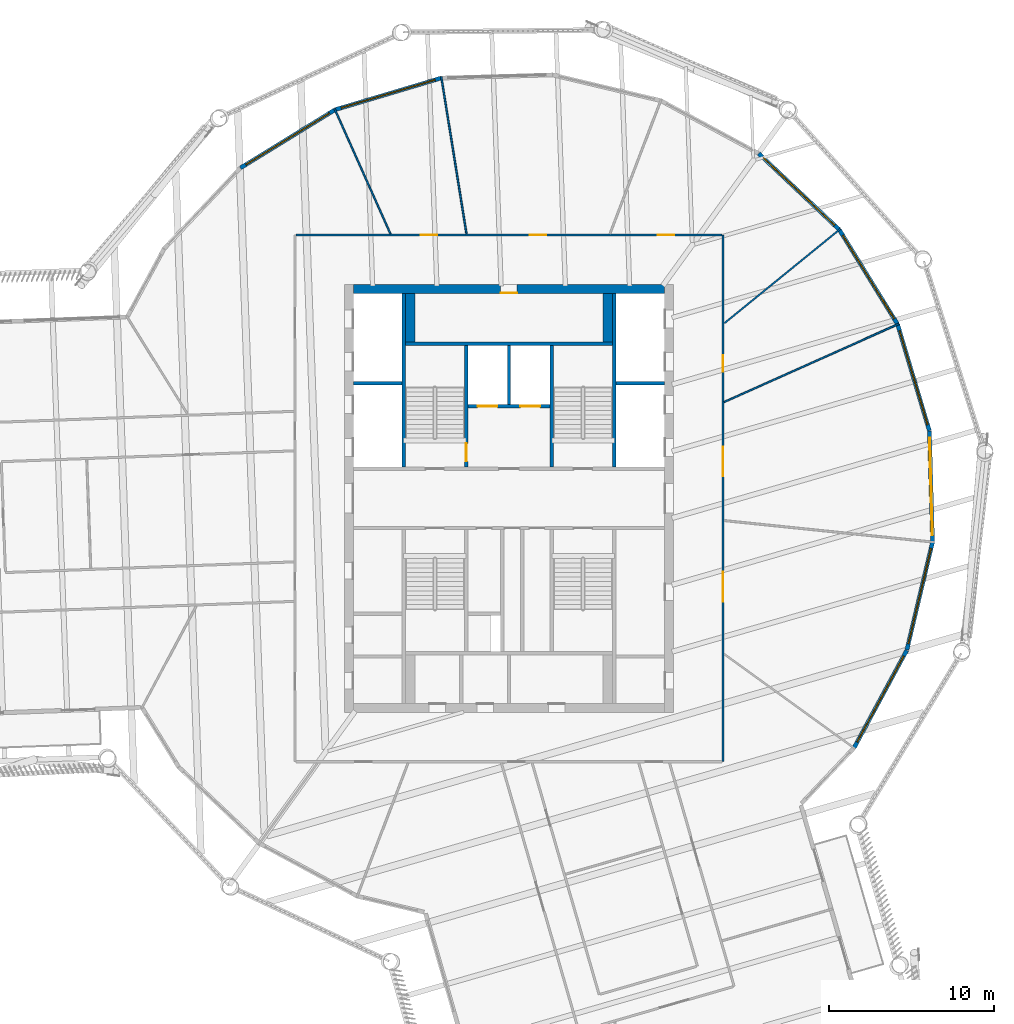
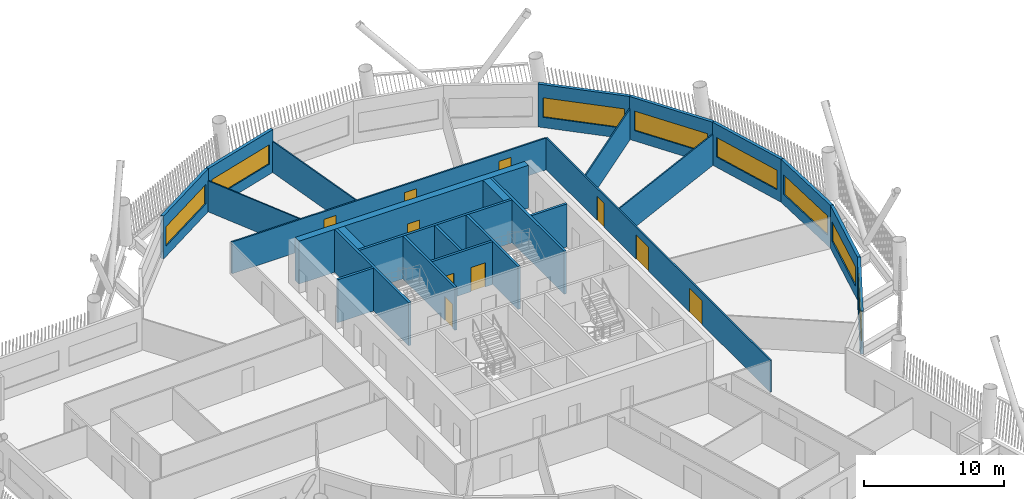
# One storey, part 6 of 20: 26 walls, 10 doors, 8 windows, 18 openings.
"""IFC4 building model written with IfcOpenShell, lengths in metres."""

import ifcopenshell
import ifcopenshell.guid

model = None  # the IFC model being written
_history = None  # IfcOwnerHistory: only IFC2X3 demands one
_inside = {}  # id of a spatial element -> (the spatial element, [elements in it])
_under = {}  # id of a project, library or spatial element -> (it, [spatial elements below it])
_declared = {}  # id of a project -> (the project, [libraries it declares])
_typed = {}  # id of a type object -> (the type object, [elements of that type])
_made_of = {}  # id of a material, layer set ... -> (it, [elements and type objects made of it])


def new_model(schema):
    """Start an empty IFC model of exactly this schema.

    Asked for "IFC4X3", IfcOpenShell would pick the latest addendum, in which some entities
    have other attributes; the version numbers below select the first issue.
    IFC2X3 requires an IfcOwnerHistory on every rooted entity: one is made here for all.
    """
    global model, _history
    if schema == "IFC4X3":
        model = ifcopenshell.file(schema_version=(4, 3, 0, 0))
    else:
        model = ifcopenshell.file(schema=schema)
    _inside.clear()
    _under.clear()
    _declared.clear()
    _typed.clear()
    _made_of.clear()
    _history = None
    if model.schema == "IFC2X3":
        org = make("IfcOrganization", Name="unknown")
        user = make(
            "IfcPersonAndOrganization",
            ThePerson=make("IfcPerson", FamilyName="unknown"),
            TheOrganization=org,
        )
        app = make(
            "IfcApplication",
            ApplicationDeveloper=org,
            Version="unknown",
            ApplicationFullName="unknown",
            ApplicationIdentifier="unknown",
        )
        _history = make(
            "IfcOwnerHistory",
            OwningUser=user,
            OwningApplication=app,
            ChangeAction="ADDED",
            CreationDate=0,
        )
    return model


def make(cls, **values):
    """One entity of the class cls with the attributes given. An attribute that is None is left unset."""
    return model.create_entity(
        cls, **{name: value for name, value in values.items() if value is not None}
    )


def rooted(cls, **values):
    """An entity with a GlobalId (a new one), such as an element, a storey or a relation."""
    return make(cls, GlobalId=ifcopenshell.guid.new(), OwnerHistory=_history, **values)


def si_unit(unit_type, name, prefix=None):
    """IfcSIUnit, for example si_unit("LENGTHUNIT", "METRE", prefix="MILLI")."""
    return make("IfcSIUnit", UnitType=unit_type, Prefix=prefix, Name=name)


def assignment(units):
    """IfcUnitAssignment: the units of a project."""
    return None if units is None else make("IfcUnitAssignment", Units=units)


def point(xyz):
    """IfcCartesianPoint."""
    return None if xyz is None else make("IfcCartesianPoint", Coordinates=xyz)


def direction(xyz):
    """IfcDirection."""
    return None if xyz is None else make("IfcDirection", DirectionRatios=xyz)


def frame(location, z_axis=None, x_axis=None):
    """IfcAxis2Placement3D, a coordinate frame: its origin and axes. An axis left out is left unset."""
    return make(
        "IfcAxis2Placement3D",
        Location=point(location),
        Axis=direction(z_axis),
        RefDirection=direction(x_axis),
    )


def frame_2d(location, x_axis=None):
    """IfcAxis2Placement2D, a coordinate frame in the plane: its origin and x axis."""
    return make(
        "IfcAxis2Placement2D", Location=point(location), RefDirection=direction(x_axis)
    )


def origin():
    """The frame at (0, 0, 0) with its axes left unset."""
    return frame((0.0, 0.0, 0.0))


def place(relative_to, where):
    """IfcLocalPlacement: puts the frame where relative to a parent placement (None: the world)."""
    return make(
        "IfcLocalPlacement", PlacementRelTo=relative_to, RelativePlacement=where
    )


def context(
    kind, dimensions, precision=None, world=None, true_north=None, identifier=None
):
    """IfcGeometricRepresentationContext, for example the 3D "Model" context."""
    return make(
        "IfcGeometricRepresentationContext",
        ContextIdentifier=identifier,
        ContextType=kind,
        CoordinateSpaceDimension=dimensions,
        Precision=precision,
        WorldCoordinateSystem=world,
        TrueNorth=true_north,
    )


def subcontext(parent, identifier, kind, view, scale=None):
    """IfcGeometricRepresentationSubContext, for example "Body" below "Model"."""
    return make(
        "IfcGeometricRepresentationSubContext",
        ContextIdentifier=identifier,
        ContextType=kind,
        ParentContext=parent,
        TargetScale=scale,
        TargetView=view,
    )


def project(units=None, contexts=None):
    """IfcProject with its units and contexts."""
    return rooted(
        "IfcProject",
        Name="project",
        RepresentationContexts=contexts,
        UnitsInContext=assignment(units),
    )


def spatial(cls, under=None, at=None, **own):
    """A site, building, storey or space (cls), placed at a placement, below another one or the project."""
    s = rooted(cls, ObjectPlacement=at, **own)
    if under is not None:
        _under.setdefault(under.id(), (under, []))[1].append(s)
    return s


def profile(cls, at=None, kind="AREA", **sizes):
    """A parametric profile (cls). Its sizes go by their IFC names, for example OverallWidth=200.0."""
    return make(cls, ProfileType=kind, Position=at, **sizes)


def rectangle(**sizes):
    """IfcRectangleProfileDef."""
    return profile("IfcRectangleProfileDef", **sizes)


def extrude(swept, where, along, depth):
    """IfcExtrudedAreaSolid: the profile swept, set in the frame where, extruded along a direction by depth."""
    return make(
        "IfcExtrudedAreaSolid",
        SweptArea=swept,
        Position=where,
        ExtrudedDirection=direction(along),
        Depth=depth,
    )


def shape(context_of_items, identifier, shape_type, items):
    """IfcShapeRepresentation: the items that make up one representation, for example the "Body"."""
    return make(
        "IfcShapeRepresentation",
        ContextOfItems=context_of_items,
        RepresentationIdentifier=identifier,
        RepresentationType=shape_type,
        Items=items,
    )


def material(Name=None, Category=None):
    """IfcMaterial."""
    return make("IfcMaterial", Name=Name, Category=Category)


def layer(
    of_material, thickness, ventilated=None, Name=None, Category=None, Priority=None
):
    """IfcMaterialLayer: one layer of a wall or slab, of a material (None: an air gap)."""
    return make(
        "IfcMaterialLayer",
        Material=of_material,
        LayerThickness=thickness,
        IsVentilated=ventilated,
        Name=Name,
        Category=Category,
        Priority=Priority,
    )


def layer_set(layers, Name=None):
    """IfcMaterialLayerSet."""
    return make("IfcMaterialLayerSet", MaterialLayers=layers, LayerSetName=Name)


def made_of(thing, what):
    """Note that an element or type object is made of a material, layer set ...; save() writes the relation."""
    if what is not None:
        _made_of.setdefault(what.id(), (what, []))[1].append(thing)
    return thing


def type_object(cls, material=None, **own):
    """A type object (cls), such as IfcWallType, which elements share."""
    return made_of(rooted(cls, **own), material)


def element(
    cls,
    number,
    at=None,
    inside=None,
    cuts=None,
    type_object=None,
    material=None,
    context=None,
    identifier="Body",
    shape_type=None,
    held_by="IfcProductDefinitionShape",
    body=None,
    shapes=None,
    **own,
):
    """One element of the class cls, such as IfcWall. Its Tag is "e" and its number.

    at: its placement. inside: the storey or other place that contains it. cuts: it is an
    opening in that element (IfcRelVoidsElement). A single representation is given by context,
    identifier, shape_type and body (its items); several are given by shapes. held_by: the class
    of the entity that holds the representations. save() writes the other relations.
    """
    e = rooted(cls, Tag="e%d" % number, ObjectPlacement=at, **own)
    if body is not None:
        shapes = [shape(context, identifier, shape_type, body)]
    if shapes is not None:
        e.Representation = make(held_by, Representations=shapes)
    if inside is not None:
        _inside.setdefault(inside.id(), (inside, []))[1].append(e)
    if cuts is not None:
        rooted(
            "IfcRelVoidsElement", RelatingBuildingElement=cuts, RelatedOpeningElement=e
        )
    if type_object is not None:
        _typed.setdefault(type_object.id(), (type_object, []))[1].append(e)
    return made_of(e, material)


def fill(opening, filler):
    """IfcRelFillsElement: the door or window that sits in an opening."""
    return rooted(
        "IfcRelFillsElement",
        RelatingOpeningElement=opening,
        RelatedBuildingElement=filler,
    )


def aggregate(whole, parts):
    """IfcRelAggregates: a whole, such as a stair, and the parts it consists of."""
    return rooted("IfcRelAggregates", RelatingObject=whole, RelatedObjects=parts)


def save(model, path):
    """Write the relations noted so far, then the file.

    IfcRelAggregates (storeys below a building ...), IfcRelContainedInSpatialStructure (elements
    in a storey), IfcRelDefinesByType, IfcRelAssociatesMaterial and IfcRelDeclares: one each for
    every whole, place, type object, material and project.
    """
    for whole, parts in _under.values():
        aggregate(whole, parts)
    for where, things in _inside.values():
        rooted(
            "IfcRelContainedInSpatialStructure",
            RelatedElements=things,
            RelatingStructure=where,
        )
    for kind, things in _typed.values():
        rooted("IfcRelDefinesByType", RelatedObjects=things, RelatingType=kind)
    for what, things in _made_of.values():
        rooted("IfcRelAssociatesMaterial", RelatedObjects=things, RelatingMaterial=what)
    for by, libraries in _declared.values():
        rooted("IfcRelDeclares", RelatingContext=by, RelatedDefinitions=libraries)
    model.write(path)


model = new_model("IFC4")

# Units and contexts
model_context = context("Model", 3, precision=1e-05, world=origin(), true_north=direction((0.0, 1.0)))
body_context = subcontext(model_context, "Body", "Model", "MODEL_VIEW")
ifc_project = project(units=[si_unit("LENGTHUNIT", "METRE"), si_unit("AREAUNIT", "SQUARE_METRE"), si_unit("VOLUMEUNIT", "CUBIC_METRE"), si_unit("PLANEANGLEUNIT", "RADIAN"), si_unit("MASSUNIT", "GRAM", prefix="KILO")], contexts=[model_context])

# Site, building, storey
site_placement = place(None, origin())
site = spatial("IfcSite", under=ifc_project, at=site_placement, CompositionType="ELEMENT")
building_placement = place(site_placement, origin())
building = spatial("IfcBuilding", under=site, at=building_placement, Name="Tarsis Ring Headquarters", CompositionType="ELEMENT")
storey_placement = place(building_placement, frame((0.0, 0.0, 294.199951171875)))
storey = spatial("IfcBuildingStorey", under=building, at=storey_placement, Name="L69", CompositionType="ELEMENT", Elevation=294.199951171875)

# Wall, opening, door
ifc_material_1 = material(Name="Concrete C50/60", Category="concrete")
ifc_layer_1 = layer(ifc_material_1, 0.550048828125)
ifc_layer_set_1 = layer_set([ifc_layer_1], Name="Core wall 550 C50/60")
wall_type_1 = type_object("IfcWallType", Name="Core wall 550 C50/60", PredefinedType="SHEAR", material=ifc_layer_set_1)
wall_1_placement = place(storey_placement, frame((-9.449951171875, 12.72509765625, 0.0), z_axis=(0.0, 0.0, 1.0), x_axis=(1.0, 0.0, 0.0)))
wall_1 = element("IfcWall", 1, at=wall_1_placement, inside=storey, type_object=wall_type_1, Name="Core wall ON", PredefinedType="SHEAR", context=body_context, shape_type="SweptSolid", body=[
    extrude(rectangle(XDim=18.89990234375, YDim=0.550048828125, at=frame_2d((9.449951171875, 0.0))), origin(), (0.0, 0.0, 1.0), 3.739990234375),
])
opening_1_placement = place(wall_1_placement, frame((8.949951171875, 0.0, 0.0)))
opening_1 = element("IfcOpeningElement", 2, at=opening_1_placement, cuts=wall_1, Name="Opening L69-C16", PredefinedType="OPENING", context=body_context, shape_type="SweptSolid", body=[
    extrude(rectangle(XDim=1.0, YDim=2.10009765625, at=frame_2d((0.5, 1.050048828125))), frame((0.0, 0.284912109375, 0.0), z_axis=(0.0, -1.0, 0.0), x_axis=(1.0, 0.0, 0.0)), (0.0, 0.0, 1.0), 0.570068359375),
])
ifc_material_2 = material(Name="Steel S355", Category="steel")
door_type_1 = type_object("IfcDoorType", Name="Core room door 1000x2100", OperationType="SINGLE_SWING_LEFT", PredefinedType="DOOR", material=ifc_material_2)
door_1_placement = place(opening_1_placement, origin())
door_1 = element("IfcDoor", 3, at=door_1_placement, inside=storey, type_object=door_type_1, Name="Core room door L69", OperationType="SINGLE_SWING_LEFT", OverallHeight=2.10009765625, OverallWidth=1.0, PredefinedType="DOOR", context=body_context, shape_type="SweptSolid", body=[
    extrude(rectangle(XDim=1.0, YDim=2.10009765625, at=frame_2d((0.5, 1.050048828125))), frame((0.0, -0.22509765625, 0.0), z_axis=(0.0, -1.0, 0.0), x_axis=(1.0, 0.0, 0.0)), (0.0, 0.0, 1.0), 0.050048828125),
])
fill(opening_1, door_1)

# Walls
ifc_material_3 = material(Name="Gypsum board on steel studs", Category="steel")
ifc_layer_2 = layer(ifc_material_3, 0.10009765625)
ifc_layer_set_2 = layer_set([ifc_layer_2], Name="FL partition 100 unrated")
wall_type_2 = type_object("IfcWallType", Name="FL partition 100 unrated", PredefinedType="PARTITIONING", material=ifc_layer_set_2)
wall_2_placement = place(storey_placement, frame((13.072998046875, 5.853271484375, 0.0), z_axis=(0.0, 0.0, 1.0), x_axis=(0.912691707352, 0.408648806838, 0.0)))
element("IfcWall", 4, at=wall_2_placement, inside=storey, type_object=wall_type_2, Name="Partition PW3", PredefinedType="PARTITIONING", context=body_context, shape_type="SweptSolid", body=[
    extrude(rectangle(XDim=11.624267578125, YDim=0.10009765625, at=frame_2d((5.81201171875, 0.0))), origin(), (0.0, 0.0, 1.0), 2.699951171875),
])
wall_3_placement = place(storey_placement, frame((-4.11279296875, 25.619873046875, 0.0), z_axis=(0.0, 0.0, 1.0), x_axis=(0.158502351898, -0.987358599721, 0.0)))
element("IfcWall", 5, at=wall_3_placement, inside=storey, type_object=wall_type_2, Name="Partition PW3", PredefinedType="PARTITIONING", context=body_context, shape_type="SweptSolid", body=[
    extrude(rectangle(XDim=9.673095703125, YDim=0.10009765625, at=frame_2d((4.83642578125, 0.0))), origin(), (0.0, 0.0, 1.0), 2.699951171875),
])
wall_4_placement = place(storey_placement, frame((13.085205078125, 10.641845703125, 0.0), z_axis=(0.0, 0.0, 1.0), x_axis=(0.775847503085, 0.6309204799, 0.0)))
element("IfcWall", 6, at=wall_4_placement, inside=storey, type_object=wall_type_2, Name="Partition PW3", PredefinedType="PARTITIONING", context=body_context, shape_type="SweptSolid", body=[
    extrude(rectangle(XDim=9.08154296875, YDim=0.10009765625, at=frame_2d((4.540771484375, 0.0))), origin(), (0.0, 0.0, 1.0), 2.699951171875),
])
wall_5_placement = place(storey_placement, frame((-10.603515625, 23.682373046875, 0.0), z_axis=(0.0, 0.0, 1.0), x_axis=(0.408644711406, -0.912693541031, 0.0)))
element("IfcWall", 7, at=wall_5_placement, inside=storey, type_object=wall_type_2, Name="Partition PW3", PredefinedType="PARTITIONING", context=body_context, shape_type="SweptSolid", body=[
    extrude(rectangle(XDim=8.337158203125, YDim=0.10009765625, at=frame_2d((4.16845703125, 0.0))), origin(), (0.0, 0.0, 1.0), 2.699951171875),
])

# Wall, openings, doors
ifc_layer_3 = layer(ifc_material_3, 0.125)
ifc_layer_set_3 = layer_set([ifc_layer_3], Name="FL partition 125 EI 60 H2770")
wall_type_3 = type_object("IfcWallType", Name="FL partition 125 EI 60 H2770", PredefinedType="PARTITIONING", material=ifc_layer_set_3)
wall_6_placement = place(storey_placement, frame((13.0, -16.0, 0.0), z_axis=(0.0, 0.0, 1.0), x_axis=(0.0, 1.0, 0.0)))
wall_6 = element("IfcWall", 8, at=wall_6_placement, inside=storey, type_object=wall_type_3, Name="Partition PW1", PredefinedType="PARTITIONING", context=body_context, shape_type="SweptSolid", body=[
    extrude(rectangle(XDim=32.0, YDim=0.125, at=frame_2d((16.0, 0.0))), origin(), (0.0, 0.0, 1.0), 2.77001953125),
])
opening_2_placement = place(wall_6_placement, frame((23.696533203125, 0.0, 0.0)))
opening_2 = element("IfcOpeningElement", 9, at=opening_2_placement, cuts=wall_6, Name="Opening D69.07", PredefinedType="OPENING", context=body_context, shape_type="SweptSolid", body=[
    extrude(rectangle(XDim=1.0, YDim=2.10009765625, at=frame_2d((0.5, 1.050048828125))), frame((0.0, 0.072509765625, 0.0), z_axis=(0.0, -1.0, 0.0), x_axis=(1.0, 0.0, 0.0)), (0.0, 0.0, 1.0), 0.14501953125),
])
opening_3_placement = place(wall_6_placement, frame((17.3408203125, 0.0, 0.0)))
opening_3 = element("IfcOpeningElement", 10, at=opening_3_placement, cuts=wall_6, Name="Opening D69.08", PredefinedType="OPENING", context=body_context, shape_type="SweptSolid", body=[
    extrude(rectangle(XDim=1.800048828125, YDim=2.10009765625, at=frame_2d((0.89990234375, 1.050048828125))), frame((0.0, 0.072509765625, 0.0), z_axis=(0.0, -1.0, 0.0), x_axis=(1.0, 0.0, 0.0)), (0.0, 0.0, 1.0), 0.14501953125),
])
opening_4_placement = place(wall_6_placement, frame((9.728759765625, 0.0, 0.0)))
opening_4 = element("IfcOpeningElement", 11, at=opening_4_placement, cuts=wall_6, Name="Opening D69.09", PredefinedType="OPENING", context=body_context, shape_type="SweptSolid", body=[
    extrude(rectangle(XDim=1.800048828125, YDim=2.10009765625, at=frame_2d((0.89990234375, 1.050048828125))), frame((0.0, 0.072509765625, 0.0), z_axis=(0.0, -1.0, 0.0), x_axis=(1.0, 0.0, 0.0)), (0.0, 0.0, 1.0), 0.14501953125),
])
ifc_material_4 = material(Name="Fire-rated timber door leaf in steel frame", Category="steel")
door_type_2 = type_object("IfcDoorType", Name="FL door FD60-1000", OperationType="NOTDEFINED", PredefinedType="DOOR", material=ifc_material_4)
door_2_placement = place(opening_2_placement, origin())
door_2 = element("IfcDoor", 12, at=door_2_placement, inside=storey, type_object=door_type_2, Name="Door D69.07", OperationType="SINGLE_SWING_RIGHT", OverallHeight=2.10009765625, OverallWidth=1.0, PredefinedType="DOOR", context=body_context, shape_type="SweptSolid", body=[
    extrude(rectangle(XDim=1.0, YDim=2.10009765625, at=frame_2d((0.5, 1.050048828125))), frame((0.0, 0.02490234375, 0.0), z_axis=(0.0, -1.0, 0.0), x_axis=(1.0, 0.0, 0.0)), (0.0, 0.0, 1.0), 0.050048828125),
])
fill(opening_2, door_2)
door_type_3 = type_object("IfcDoorType", Name="FL door FD60-1800", OperationType="DOUBLE_DOOR_SINGLE_SWING", PredefinedType="DOOR", material=ifc_material_4)
door_3_placement = place(opening_3_placement, origin())
door_3 = element("IfcDoor", 13, at=door_3_placement, inside=storey, type_object=door_type_3, Name="Door D69.08", OperationType="DOUBLE_DOOR_SINGLE_SWING", OverallHeight=2.10009765625, OverallWidth=1.800048828125, PredefinedType="DOOR", context=body_context, shape_type="SweptSolid", body=[
    extrude(rectangle(XDim=1.800048828125, YDim=2.10009765625, at=frame_2d((0.89990234375, 1.050048828125))), frame((0.0, 0.02490234375, 0.0), z_axis=(0.0, -1.0, 0.0), x_axis=(1.0, 0.0, 0.0)), (0.0, 0.0, 1.0), 0.050048828125),
])
fill(opening_3, door_3)
door_4_placement = place(opening_4_placement, origin())
door_4 = element("IfcDoor", 14, at=door_4_placement, inside=storey, type_object=door_type_3, Name="Door D69.09", OperationType="DOUBLE_DOOR_SINGLE_SWING", OverallHeight=2.10009765625, OverallWidth=1.800048828125, PredefinedType="DOOR", context=body_context, shape_type="SweptSolid", body=[
    extrude(rectangle(XDim=1.800048828125, YDim=2.10009765625, at=frame_2d((0.89990234375, 1.050048828125))), frame((0.0, 0.02490234375, 0.0), z_axis=(0.0, -1.0, 0.0), x_axis=(1.0, 0.0, 0.0)), (0.0, 0.0, 1.0), 0.050048828125),
])
fill(opening_4, door_4)

wall_7_placement = place(storey_placement, frame((-12.93994140625, 16.0, 0.0), z_axis=(0.0, 0.0, 1.0), x_axis=(1.0, 0.0, 0.0)))
wall_7 = element("IfcWall", 15, at=wall_7_placement, inside=storey, type_object=wall_type_3, Name="Partition PW1", PredefinedType="PARTITIONING", context=body_context, shape_type="SweptSolid", body=[
    extrude(rectangle(XDim=25.8798828125, YDim=0.125, at=frame_2d((12.93994140625, 0.0))), origin(), (0.0, 0.0, 1.0), 2.77001953125),
])
opening_5_placement = place(wall_7_placement, frame((7.57373046875, 0.0, 0.0)))
opening_5 = element("IfcOpeningElement", 16, at=opening_5_placement, cuts=wall_7, Name="Opening D69.04", PredefinedType="OPENING", context=body_context, shape_type="SweptSolid", body=[
    extrude(rectangle(XDim=1.0, YDim=2.10009765625, at=frame_2d((0.5, 1.050048828125))), frame((0.0, 0.072509765625, 0.0), z_axis=(0.0, -1.0, 0.0), x_axis=(1.0, 0.0, 0.0)), (0.0, 0.0, 1.0), 0.14501953125),
])
opening_6_placement = place(wall_7_placement, frame((14.20751953125, 0.0, 0.0)))
opening_6 = element("IfcOpeningElement", 17, at=opening_6_placement, cuts=wall_7, Name="Opening D69.05", PredefinedType="OPENING", context=body_context, shape_type="SweptSolid", body=[
    extrude(rectangle(XDim=1.0, YDim=2.10009765625, at=frame_2d((0.5, 1.050048828125))), frame((0.0, 0.072509765625, 0.0), z_axis=(0.0, -1.0, 0.0), x_axis=(1.0, 0.0, 0.0)), (0.0, 0.0, 1.0), 0.14501953125),
])
opening_7_placement = place(wall_7_placement, frame((21.99169921875, 0.0, 0.0)))
opening_7 = element("IfcOpeningElement", 18, at=opening_7_placement, cuts=wall_7, Name="Opening D69.06", PredefinedType="OPENING", context=body_context, shape_type="SweptSolid", body=[
    extrude(rectangle(XDim=1.0, YDim=2.10009765625, at=frame_2d((0.5, 1.050048828125))), frame((0.0, 0.072509765625, 0.0), z_axis=(0.0, -1.0, 0.0), x_axis=(1.0, 0.0, 0.0)), (0.0, 0.0, 1.0), 0.14501953125),
])
door_5_placement = place(opening_5_placement, origin())
door_5 = element("IfcDoor", 19, at=door_5_placement, inside=storey, type_object=door_type_2, Name="Door D69.04", OperationType="SINGLE_SWING_LEFT", OverallHeight=2.10009765625, OverallWidth=1.0, PredefinedType="DOOR", context=body_context, shape_type="SweptSolid", body=[
    extrude(rectangle(XDim=1.0, YDim=2.10009765625, at=frame_2d((0.5, 1.050048828125))), frame((0.0, 0.02490234375, 0.0), z_axis=(0.0, -1.0, 0.0), x_axis=(1.0, 0.0, 0.0)), (0.0, 0.0, 1.0), 0.050048828125),
])
fill(opening_5, door_5)
door_6_placement = place(opening_6_placement, origin())
door_6 = element("IfcDoor", 20, at=door_6_placement, inside=storey, type_object=door_type_2, Name="Door D69.05", OperationType="SINGLE_SWING_RIGHT", OverallHeight=2.10009765625, OverallWidth=1.0, PredefinedType="DOOR", context=body_context, shape_type="SweptSolid", body=[
    extrude(rectangle(XDim=1.0, YDim=2.10009765625, at=frame_2d((0.5, 1.050048828125))), frame((0.0, 0.02490234375, 0.0), z_axis=(0.0, -1.0, 0.0), x_axis=(1.0, 0.0, 0.0)), (0.0, 0.0, 1.0), 0.050048828125),
])
fill(opening_6, door_6)
door_7_placement = place(opening_7_placement, origin())
door_7 = element("IfcDoor", 21, at=door_7_placement, inside=storey, type_object=door_type_2, Name="Door D69.06", OperationType="SINGLE_SWING_LEFT", OverallHeight=2.10009765625, OverallWidth=1.0, PredefinedType="DOOR", context=body_context, shape_type="SweptSolid", body=[
    extrude(rectangle(XDim=1.0, YDim=2.10009765625, at=frame_2d((0.5, 1.050048828125))), frame((0.0, 0.02490234375, 0.0), z_axis=(0.0, -1.0, 0.0), x_axis=(1.0, 0.0, 0.0)), (0.0, 0.0, 1.0), 0.050048828125),
])
fill(opening_7, door_7)

# Wall, opening, window
ifc_material_5 = material(Name="Terracotta clad insulated panel wall", Category="masonry")
ifc_layer_4 = layer(ifc_material_5, 0.25)
ifc_layer_set_4 = layer_set([ifc_layer_4], Name="Facade wall terracotta panel 250")
wall_type_4 = type_object("IfcWallType", Name="Facade wall terracotta panel 250", PredefinedType="STANDARD", material=ifc_layer_set_4)
wall_8_placement = place(storey_placement, frame((20.97216796875, -15.14990234375, 0.0), z_axis=(0.0, 0.0, 1.0), x_axis=(0.475321014607, 0.879812441986, 0.0)))
wall_8 = element("IfcWall", 22, at=wall_8_placement, inside=storey, type_object=wall_type_4, Name="External wall L69-18", PredefinedType="STANDARD", context=body_context, shape_type="SweptSolid", body=[
    extrude(rectangle(XDim=6.721435546875, YDim=0.25, at=frame_2d((3.36083984375, 0.0))), origin(), (0.0, 0.0, 1.0), 3.739990234375),
])
opening_8_placement = place(wall_8_placement, frame((0.3857421875, 0.0, 0.89990234375)))
opening_8 = element("IfcOpeningElement", 23, at=opening_8_placement, cuts=wall_8, Name="Opening WN07", PredefinedType="OPENING", context=body_context, shape_type="SweptSolid", body=[
    extrude(rectangle(XDim=5.949951171875, YDim=1.699951171875, at=frame_2d((2.97509765625, 0.85009765625))), frame((0.0, 0.135009765625, 0.0), z_axis=(0.0, -1.0, 0.0), x_axis=(1.0, 0.0, 0.0)), (0.0, 0.0, 1.0), 0.27001953125),
])
ifc_material_6 = material(Name="Aluminium framed double glazing", Category="aluminium")
window_type = type_object("IfcWindowType", Name="Facade window 5950 x 1700", PartitioningType="SINGLE_PANEL", PredefinedType="WINDOW", material=ifc_material_6)
window_1_placement = place(opening_8_placement, origin())
window_1 = element("IfcWindow", 24, at=window_1_placement, inside=storey, type_object=window_type, Name="Window L69-18.1", OverallHeight=1.699951171875, OverallWidth=5.949951171875, PartitioningType="SINGLE_PANEL", PredefinedType="WINDOW", context=body_context, shape_type="SweptSolid", body=[
    extrude(rectangle(XDim=5.949951171875, YDim=1.699951171875, at=frame_2d((2.97509765625, 0.85009765625))), frame((0.0, 0.030029296875, 0.0), z_axis=(0.0, -1.0, 0.0), x_axis=(1.0, 0.0, 0.0)), (0.0, 0.0, 1.0), 0.06005859375),
])
fill(opening_8, window_1)

wall_9_placement = place(storey_placement, frame((24.178466796875, -9.205810546875, 0.0), z_axis=(0.0, 0.0, 1.0), x_axis=(0.231409369255, 0.972856466197, 0.0)))
wall_9 = element("IfcWall", 25, at=wall_9_placement, inside=storey, type_object=wall_type_4, Name="External wall L69-19", PredefinedType="STANDARD", context=body_context, shape_type="SweptSolid", body=[
    extrude(rectangle(XDim=6.721435546875, YDim=0.25, at=frame_2d((3.36083984375, 0.0))), origin(), (0.0, 0.0, 1.0), 3.739990234375),
])
opening_9_placement = place(wall_9_placement, frame((0.3857421875, 0.0, 0.89990234375)))
opening_9 = element("IfcOpeningElement", 26, at=opening_9_placement, cuts=wall_9, Name="Opening WN07", PredefinedType="OPENING", context=body_context, shape_type="SweptSolid", body=[
    extrude(rectangle(XDim=5.949951171875, YDim=1.699951171875, at=frame_2d((2.97509765625, 0.85009765625))), frame((0.0, 0.135009765625, 0.0), z_axis=(0.0, -1.0, 0.0), x_axis=(1.0, 0.0, 0.0)), (0.0, 0.0, 1.0), 0.27001953125),
])
window_2_placement = place(opening_9_placement, origin())
window_2 = element("IfcWindow", 27, at=window_2_placement, inside=storey, type_object=window_type, Name="Window L69-19.1", OverallHeight=1.699951171875, OverallWidth=5.949951171875, PartitioningType="SINGLE_PANEL", PredefinedType="WINDOW", context=body_context, shape_type="SweptSolid", body=[
    extrude(rectangle(XDim=5.949951171875, YDim=1.699951171875, at=frame_2d((2.97509765625, 0.85009765625))), frame((0.0, 0.030029296875, 0.0), z_axis=(0.0, -1.0, 0.0), x_axis=(1.0, 0.0, 0.0)), (0.0, 0.0, 1.0), 0.06005859375),
])
fill(opening_9, window_2)

wall_10_placement = place(storey_placement, frame((25.7373046875, -2.63427734375, 0.0), z_axis=(0.0, 0.0, 1.0), x_axis=(-0.028258032596, 0.999600662061, 0.0)))
wall_10 = element("IfcWall", 28, at=wall_10_placement, inside=storey, type_object=wall_type_4, Name="External wall L69-20", PredefinedType="STANDARD", context=body_context, shape_type="SweptSolid", body=[
    extrude(rectangle(XDim=6.7216796875, YDim=0.25, at=frame_2d((3.36083984375, 0.0))), origin(), (0.0, 0.0, 1.0), 3.739990234375),
])
opening_10_placement = place(wall_10_placement, frame((0.3857421875, 0.0, 0.89990234375)))
opening_10 = element("IfcOpeningElement", 29, at=opening_10_placement, cuts=wall_10, Name="Opening WN07", PredefinedType="OPENING", context=body_context, shape_type="SweptSolid", body=[
    extrude(rectangle(XDim=5.949951171875, YDim=1.699951171875, at=frame_2d((2.97509765625, 0.85009765625))), frame((0.0, 0.135009765625, 0.0), z_axis=(0.0, -1.0, 0.0), x_axis=(1.0, 0.0, 0.0)), (0.0, 0.0, 1.0), 0.27001953125),
])
window_3_placement = place(opening_10_placement, origin())
window_3 = element("IfcWindow", 30, at=window_3_placement, inside=storey, type_object=window_type, Name="Window L69-20.1", OverallHeight=1.699951171875, OverallWidth=5.949951171875, PartitioningType="SINGLE_PANEL", PredefinedType="WINDOW", context=body_context, shape_type="SweptSolid", body=[
    extrude(rectangle(XDim=5.949951171875, YDim=1.699951171875, at=frame_2d((2.97509765625, 0.85009765625))), frame((0.0, 0.030029296875, 0.0), z_axis=(0.0, -1.0, 0.0), x_axis=(1.0, 0.0, 0.0)), (0.0, 0.0, 1.0), 0.06005859375),
])
fill(opening_10, window_3)

wall_11_placement = place(storey_placement, frame((25.542236328125, 4.116943359375, 0.0), z_axis=(0.0, 0.0, 1.0), x_axis=(-0.286038015233, 0.958218270459, 0.0)))
wall_11 = element("IfcWall", 31, at=wall_11_placement, inside=storey, type_object=wall_type_4, Name="External wall L69-21", PredefinedType="STANDARD", context=body_context, shape_type="SweptSolid", body=[
    extrude(rectangle(XDim=6.721435546875, YDim=0.25, at=frame_2d((3.36083984375, 0.0))), origin(), (0.0, 0.0, 1.0), 3.739990234375),
])
opening_11_placement = place(wall_11_placement, frame((0.3857421875, 0.0, 0.89990234375)))
opening_11 = element("IfcOpeningElement", 32, at=opening_11_placement, cuts=wall_11, Name="Opening WN07", PredefinedType="OPENING", context=body_context, shape_type="SweptSolid", body=[
    extrude(rectangle(XDim=5.949951171875, YDim=1.699951171875, at=frame_2d((2.97509765625, 0.85009765625))), frame((0.0, 0.135009765625, 0.0), z_axis=(0.0, -1.0, 0.0), x_axis=(1.0, 0.0, 0.0)), (0.0, 0.0, 1.0), 0.27001953125),
])
window_4_placement = place(opening_11_placement, origin())
window_4 = element("IfcWindow", 33, at=window_4_placement, inside=storey, type_object=window_type, Name="Window L69-21.1", OverallHeight=1.699951171875, OverallWidth=5.949951171875, PartitioningType="SINGLE_PANEL", PredefinedType="WINDOW", context=body_context, shape_type="SweptSolid", body=[
    extrude(rectangle(XDim=5.949951171875, YDim=1.699951171875, at=frame_2d((2.97509765625, 0.85009765625))), frame((0.0, 0.030029296875, 0.0), z_axis=(0.0, -1.0, 0.0), x_axis=(1.0, 0.0, 0.0)), (0.0, 0.0, 1.0), 0.06005859375),
])
fill(opening_11, window_4)

wall_12_placement = place(storey_placement, frame((23.606201171875, 10.58740234375, 0.0), z_axis=(0.0, 0.0, 1.0), x_axis=(-0.524279805891, 0.851546055792, 0.0)))
wall_12 = element("IfcWall", 34, at=wall_12_placement, inside=storey, type_object=wall_type_4, Name="External wall L69-22", PredefinedType="STANDARD", context=body_context, shape_type="SweptSolid", body=[
    extrude(rectangle(XDim=6.721435546875, YDim=0.25, at=frame_2d((3.36083984375, 0.0))), origin(), (0.0, 0.0, 1.0), 3.739990234375),
])
opening_12_placement = place(wall_12_placement, frame((0.3857421875, 0.0, 0.89990234375)))
opening_12 = element("IfcOpeningElement", 35, at=opening_12_placement, cuts=wall_12, Name="Opening WN07", PredefinedType="OPENING", context=body_context, shape_type="SweptSolid", body=[
    extrude(rectangle(XDim=5.949951171875, YDim=1.699951171875, at=frame_2d((2.97509765625, 0.85009765625))), frame((0.0, 0.135009765625, 0.0), z_axis=(0.0, -1.0, 0.0), x_axis=(1.0, 0.0, 0.0)), (0.0, 0.0, 1.0), 0.27001953125),
])
window_5_placement = place(opening_12_placement, origin())
window_5 = element("IfcWindow", 36, at=window_5_placement, inside=storey, type_object=window_type, Name="Window L69-22.1", OverallHeight=1.699951171875, OverallWidth=5.949951171875, PartitioningType="SINGLE_PANEL", PredefinedType="WINDOW", context=body_context, shape_type="SweptSolid", body=[
    extrude(rectangle(XDim=5.949951171875, YDim=1.699951171875, at=frame_2d((2.97509765625, 0.85009765625))), frame((0.0, 0.030029296875, 0.0), z_axis=(0.0, -1.0, 0.0), x_axis=(1.0, 0.0, 0.0)), (0.0, 0.0, 1.0), 0.06005859375),
])
fill(opening_12, window_5)

wall_13_placement = place(storey_placement, frame((20.061767578125, 16.33642578125, 0.0), z_axis=(0.0, 0.0, 1.0), x_axis=(-0.726819718, 0.686828288239, 0.0)))
wall_13 = element("IfcWall", 37, at=wall_13_placement, inside=storey, type_object=wall_type_4, Name="External wall L69-23", PredefinedType="STANDARD", context=body_context, shape_type="SweptSolid", body=[
    extrude(rectangle(XDim=6.721435546875, YDim=0.25, at=frame_2d((3.36083984375, 0.0))), origin(), (0.0, 0.0, 1.0), 3.739990234375),
])
opening_13_placement = place(wall_13_placement, frame((0.3857421875, 0.0, 0.89990234375)))
opening_13 = element("IfcOpeningElement", 38, at=opening_13_placement, cuts=wall_13, Name="Opening WN07", PredefinedType="OPENING", context=body_context, shape_type="SweptSolid", body=[
    extrude(rectangle(XDim=5.949951171875, YDim=1.699951171875, at=frame_2d((2.97509765625, 0.85009765625))), frame((0.0, 0.135009765625, 0.0), z_axis=(0.0, -1.0, 0.0), x_axis=(1.0, 0.0, 0.0)), (0.0, 0.0, 1.0), 0.27001953125),
])
window_6_placement = place(opening_13_placement, origin())
window_6 = element("IfcWindow", 39, at=window_6_placement, inside=storey, type_object=window_type, Name="Window L69-23.1", OverallHeight=1.699951171875, OverallWidth=5.949951171875, PartitioningType="SINGLE_PANEL", PredefinedType="WINDOW", context=body_context, shape_type="SweptSolid", body=[
    extrude(rectangle(XDim=5.949951171875, YDim=1.699951171875, at=frame_2d((2.97509765625, 0.85009765625))), frame((0.0, 0.030029296875, 0.0), z_axis=(0.0, -1.0, 0.0), x_axis=(1.0, 0.0, 0.0)), (0.0, 0.0, 1.0), 0.06005859375),
])
fill(opening_13, window_6)

wall_14_placement = place(storey_placement, frame((-4.116943359375, 25.542236328125, 0.0), z_axis=(0.0, 0.0, 1.0), x_axis=(-0.958218270459, -0.286038015233, 0.0)))
wall_14 = element("IfcWall", 40, at=wall_14_placement, inside=storey, type_object=wall_type_4, Name="External wall L69-27", PredefinedType="STANDARD", context=body_context, shape_type="SweptSolid", body=[
    extrude(rectangle(XDim=6.721435546875, YDim=0.25, at=frame_2d((3.36083984375, 0.0))), origin(), (0.0, 0.0, 1.0), 3.739990234375),
])
opening_14_placement = place(wall_14_placement, frame((0.3857421875, 0.0, 0.89990234375)))
opening_14 = element("IfcOpeningElement", 41, at=opening_14_placement, cuts=wall_14, Name="Opening WN07", PredefinedType="OPENING", context=body_context, shape_type="SweptSolid", body=[
    extrude(rectangle(XDim=5.949951171875, YDim=1.699951171875, at=frame_2d((2.97509765625, 0.85009765625))), frame((0.0, 0.135009765625, 0.0), z_axis=(0.0, -1.0, 0.0), x_axis=(1.0, 0.0, 0.0)), (0.0, 0.0, 1.0), 0.27001953125),
])
window_7_placement = place(opening_14_placement, origin())
window_7 = element("IfcWindow", 42, at=window_7_placement, inside=storey, type_object=window_type, Name="Window L69-27.1", OverallHeight=1.699951171875, OverallWidth=5.949951171875, PartitioningType="SINGLE_PANEL", PredefinedType="WINDOW", context=body_context, shape_type="SweptSolid", body=[
    extrude(rectangle(XDim=5.949951171875, YDim=1.699951171875, at=frame_2d((2.97509765625, 0.85009765625))), frame((0.0, 0.030029296875, 0.0), z_axis=(0.0, -1.0, 0.0), x_axis=(1.0, 0.0, 0.0)), (0.0, 0.0, 1.0), 0.06005859375),
])
fill(opening_14, window_7)

wall_15_placement = place(storey_placement, frame((-10.58740234375, 23.606201171875, 0.0), z_axis=(0.0, 0.0, 1.0), x_axis=(-0.851546055792, -0.524279805891, 0.0)))
wall_15 = element("IfcWall", 43, at=wall_15_placement, inside=storey, type_object=wall_type_4, Name="External wall L69-28", PredefinedType="STANDARD", context=body_context, shape_type="SweptSolid", body=[
    extrude(rectangle(XDim=6.721435546875, YDim=0.25, at=frame_2d((3.36083984375, 0.0))), origin(), (0.0, 0.0, 1.0), 3.739990234375),
])
opening_15_placement = place(wall_15_placement, frame((0.3857421875, 0.0, 0.89990234375)))
opening_15 = element("IfcOpeningElement", 44, at=opening_15_placement, cuts=wall_15, Name="Opening WN07", PredefinedType="OPENING", context=body_context, shape_type="SweptSolid", body=[
    extrude(rectangle(XDim=5.949951171875, YDim=1.699951171875, at=frame_2d((2.97509765625, 0.85009765625))), frame((0.0, 0.135009765625, 0.0), z_axis=(0.0, -1.0, 0.0), x_axis=(1.0, 0.0, 0.0)), (0.0, 0.0, 1.0), 0.27001953125),
])
window_8_placement = place(opening_15_placement, origin())
window_8 = element("IfcWindow", 45, at=window_8_placement, inside=storey, type_object=window_type, Name="Window L69-28.1", OverallHeight=1.699951171875, OverallWidth=5.949951171875, PartitioningType="SINGLE_PANEL", PredefinedType="WINDOW", context=body_context, shape_type="SweptSolid", body=[
    extrude(rectangle(XDim=5.949951171875, YDim=1.699951171875, at=frame_2d((2.97509765625, 0.85009765625))), frame((0.0, 0.030029296875, 0.0), z_axis=(0.0, -1.0, 0.0), x_axis=(1.0, 0.0, 0.0)), (0.0, 0.0, 1.0), 0.06005859375),
])
fill(opening_15, window_8)

# Walls
ifc_material_7 = material(Name="Concrete C32/40", Category="concrete")
ifc_layer_5 = layer(ifc_material_7, 0.60009765625)
ifc_layer_set_5 = layer_set([ifc_layer_5], Name="Shaft end wall 600 C32/40")
wall_type_5 = type_object("IfcWallType", Name="Shaft end wall 600 C32/40", PredefinedType="SOLIDWALL", material=ifc_layer_set_5)
for number, where, z_axis, x_axis, name in (
    (46, (-6.0, 9.5, 0.0), (0.0, 0.0, 1.0), (0.0, 1.0, 0.0), "Core shaft wall NNE1"),
    (47, (6.0, 9.5, 0.0), (0.0, 0.0, 1.0), (0.0, 1.0, 0.0), "Core shaft wall NNE2"),
):
    element("IfcWall", number, at=place(storey_placement, frame(where, z_axis=z_axis, x_axis=x_axis)), inside=storey, type_object=wall_type_5, Name=name, PredefinedType="SOLIDWALL", context=body_context, shape_type="SweptSolid", body=[
        extrude(rectangle(XDim=2.949951171875, YDim=0.60009765625, at=frame_2d((1.47509765625, 0.0))), origin(), (0.0, 0.0, 1.0), 3.739990234375),
    ])
ifc_layer_6 = layer(ifc_material_7, 0.199951171875)
ifc_layer_set_6 = layer_set([ifc_layer_6], Name="Shaft wall 200 C32/40")
wall_type_6 = type_object("IfcWallType", Name="Shaft wall 200 C32/40", PredefinedType="SOLIDWALL", material=ifc_layer_set_6)
for number, where, z_axis, x_axis, name in (
    (48, (-6.39990234375, 1.89990234375, 0.0), (0.0, 0.0, 1.0), (0.0, 1.0, 0.0), "Core shaft wall WB2"),
    (49, (6.39990234375, 1.89990234375, 0.0), (0.0, 0.0, 1.0), (0.0, 1.0, 0.0), "Core shaft wall EB2"),
):
    element("IfcWall", number, at=place(storey_placement, frame(where, z_axis=z_axis, x_axis=x_axis)), inside=storey, type_object=wall_type_6, Name=name, PredefinedType="SOLIDWALL", context=body_context, shape_type="SweptSolid", body=[
        extrude(rectangle(XDim=10.550048828125, YDim=0.199951171875, at=frame_2d((5.27490234375, 0.0))), origin(), (0.0, 0.0, 1.0), 3.739990234375),
    ])
wall_16_placement = place(storey_placement, frame((-6.300048828125, 9.39990234375, 0.0), z_axis=(0.0, 0.0, 1.0), x_axis=(1.0, 0.0, 0.0)))
element("IfcWall", 50, at=wall_16_placement, inside=storey, type_object=wall_type_6, Name="Core shaft wall NB", PredefinedType="SOLIDWALL", context=body_context, shape_type="SweptSolid", body=[
    extrude(rectangle(XDim=12.60009765625, YDim=0.199951171875, at=frame_2d((6.300048828125, 0.0))), origin(), (0.0, 0.0, 1.0), 3.739990234375),
])

# Wall, opening, door
wall_17_placement = place(storey_placement, frame((-2.60009765625, 1.89990234375, 0.0), z_axis=(0.0, 0.0, 1.0), x_axis=(0.0, 1.0, 0.0)))
wall_17 = element("IfcWall", 51, at=wall_17_placement, inside=storey, type_object=wall_type_6, Name="Core shaft wall SW1", PredefinedType="SOLIDWALL", context=body_context, shape_type="SweptSolid", body=[
    extrude(rectangle(XDim=7.400146484375, YDim=0.199951171875, at=frame_2d((3.7001953125, 0.0))), origin(), (0.0, 0.0, 1.0), 3.739990234375),
])
opening_16_placement = place(wall_17_placement, frame((0.35009765625, 0.0, 0.0)))
opening_16 = element("IfcOpeningElement", 52, at=opening_16_placement, cuts=wall_17, Name="Opening L69-C28", PredefinedType="OPENING", context=body_context, shape_type="SweptSolid", body=[
    extrude(rectangle(XDim=1.10009765625, YDim=2.10009765625, at=frame_2d((0.550048828125, 1.050048828125))), frame((0.0, 0.10986328125, 0.0), z_axis=(0.0, -1.0, 0.0), x_axis=(1.0, 0.0, 0.0)), (0.0, 0.0, 1.0), 0.219970703125),
])
door_type_4 = type_object("IfcDoorType", Name="Stair door 1100x2100", OperationType="SINGLE_SWING_LEFT", PredefinedType="DOOR", material=ifc_material_2)
door_8_placement = place(opening_16_placement, origin())
door_8 = element("IfcDoor", 53, at=door_8_placement, inside=storey, type_object=door_type_4, Name="Stair door L69", OperationType="SINGLE_SWING_LEFT", OverallHeight=2.10009765625, OverallWidth=1.10009765625, PredefinedType="DOOR", context=body_context, shape_type="SweptSolid", body=[
    extrude(rectangle(XDim=1.10009765625, YDim=2.10009765625, at=frame_2d((0.550048828125, 1.050048828125))), frame((0.0, 0.02490234375, 0.0), z_axis=(0.0, -1.0, 0.0), x_axis=(1.0, 0.0, 0.0)), (0.0, 0.0, 1.0), 0.050048828125),
])
fill(opening_16, door_8)

# Wall
wall_18_placement = place(storey_placement, frame((2.60009765625, 1.89990234375, 0.0), z_axis=(0.0, 0.0, 1.0), x_axis=(0.0, 1.0, 0.0)))
element("IfcWall", 54, at=wall_18_placement, inside=storey, type_object=wall_type_6, Name="Core shaft wall SW2", PredefinedType="SOLIDWALL", context=body_context, shape_type="SweptSolid", body=[
    extrude(rectangle(XDim=7.400146484375, YDim=0.199951171875, at=frame_2d((3.7001953125, 0.0))), origin(), (0.0, 0.0, 1.0), 3.739990234375),
])

# Wall, openings, doors
wall_19_placement = place(storey_placement, frame((-2.5, 5.60009765625, 0.0), z_axis=(0.0, 0.0, 1.0), x_axis=(1.0, 0.0, 0.0)))
wall_19 = element("IfcWall", 55, at=wall_19_placement, inside=storey, type_object=wall_type_6, Name="Core shaft wall FFN", PredefinedType="SOLIDWALL", context=body_context, shape_type="SweptSolid", body=[
    extrude(rectangle(XDim=5.0, YDim=0.199951171875, at=frame_2d((2.5, 0.0))), origin(), (0.0, 0.0, 1.0), 3.739990234375),
])
opening_17_placement = place(wall_19_placement, frame((0.60009765625, 0.0, 0.0)))
opening_17 = element("IfcOpeningElement", 56, at=opening_17_placement, cuts=wall_19, Name="Opening LDF-1", PredefinedType="OPENING", context=body_context, shape_type="SweptSolid", body=[
    extrude(rectangle(XDim=1.199951171875, YDim=2.10009765625, at=frame_2d((0.60009765625, 1.050048828125))), frame((0.0, 0.10986328125, 0.0), z_axis=(0.0, -1.0, 0.0), x_axis=(1.0, 0.0, 0.0)), (0.0, 0.0, 1.0), 0.219970703125),
])
opening_18_placement = place(wall_19_placement, frame((3.199951171875, 0.0, 0.0)))
opening_18 = element("IfcOpeningElement", 57, at=opening_18_placement, cuts=wall_19, Name="Opening LDF-2", PredefinedType="OPENING", context=body_context, shape_type="SweptSolid", body=[
    extrude(rectangle(XDim=1.199951171875, YDim=2.10009765625, at=frame_2d((0.60009765625, 1.050048828125))), frame((0.0, 0.10986328125, 0.0), z_axis=(0.0, -1.0, 0.0), x_axis=(1.0, 0.0, 0.0)), (0.0, 0.0, 1.0), 0.219970703125),
])
door_type_5 = type_object("IfcDoorType", Name="Firefighting landing door 1200x2100", OperationType="SLIDING_TO_LEFT", PredefinedType="DOOR", material=ifc_material_2)
door_9_placement = place(opening_17_placement, origin())
door_9 = element("IfcDoor", 58, at=door_9_placement, inside=storey, type_object=door_type_5, Name="Landing door FF1 L69", OperationType="SLIDING_TO_LEFT", OverallHeight=2.10009765625, OverallWidth=1.199951171875, PredefinedType="DOOR", context=body_context, shape_type="SweptSolid", body=[
    extrude(rectangle(XDim=1.199951171875, YDim=2.10009765625, at=frame_2d((0.60009765625, 1.050048828125))), frame((0.0, 0.02490234375, 0.0), z_axis=(0.0, -1.0, 0.0), x_axis=(1.0, 0.0, 0.0)), (0.0, 0.0, 1.0), 0.050048828125),
])
fill(opening_17, door_9)
door_10_placement = place(opening_18_placement, origin())
door_10 = element("IfcDoor", 59, at=door_10_placement, inside=storey, type_object=door_type_5, Name="Landing door FF2 L69", OperationType="SLIDING_TO_LEFT", OverallHeight=2.10009765625, OverallWidth=1.199951171875, PredefinedType="DOOR", context=body_context, shape_type="SweptSolid", body=[
    extrude(rectangle(XDim=1.199951171875, YDim=2.10009765625, at=frame_2d((0.60009765625, 1.050048828125))), frame((0.0, 0.02490234375, 0.0), z_axis=(0.0, -1.0, 0.0), x_axis=(1.0, 0.0, 0.0)), (0.0, 0.0, 1.0), 0.050048828125),
])
fill(opening_18, door_10)

# Walls
wall_20_placement = place(storey_placement, frame((0.0, 5.699951171875, 0.0), z_axis=(0.0, 0.0, 1.0), x_axis=(0.0, 1.0, 0.0)))
element("IfcWall", 60, at=wall_20_placement, inside=storey, type_object=wall_type_6, Name="Core shaft wall FFD", PredefinedType="SOLIDWALL", context=body_context, shape_type="SweptSolid", body=[
    extrude(rectangle(XDim=3.60009765625, YDim=0.199951171875, at=frame_2d((1.800048828125, 0.0))), origin(), (0.0, 0.0, 1.0), 3.739990234375),
])
for number, where, z_axis, x_axis, name in (
    (61, (-9.449951171875, 7.0, 0.0), (0.0, 0.0, 1.0), (1.0, 0.0, 0.0), "Core shaft wall WD6"),
    (62, (6.5, 7.0, 0.0), (0.0, 0.0, 1.0), (1.0, 0.0, 0.0), "Core shaft wall ED6"),
):
    element("IfcWall", number, at=place(storey_placement, frame(where, z_axis=z_axis, x_axis=x_axis)), inside=storey, type_object=wall_type_6, Name=name, PredefinedType="SOLIDWALL", context=body_context, shape_type="SweptSolid", body=[
        extrude(rectangle(XDim=2.949951171875, YDim=0.199951171875, at=frame_2d((1.47509765625, 0.0))), origin(), (0.0, 0.0, 1.0), 3.739990234375),
    ])

save(model, "model.ifc")
